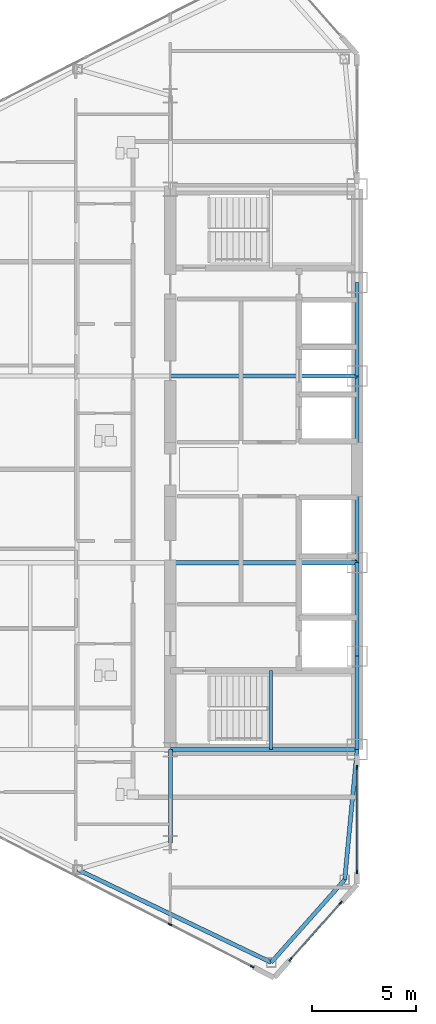
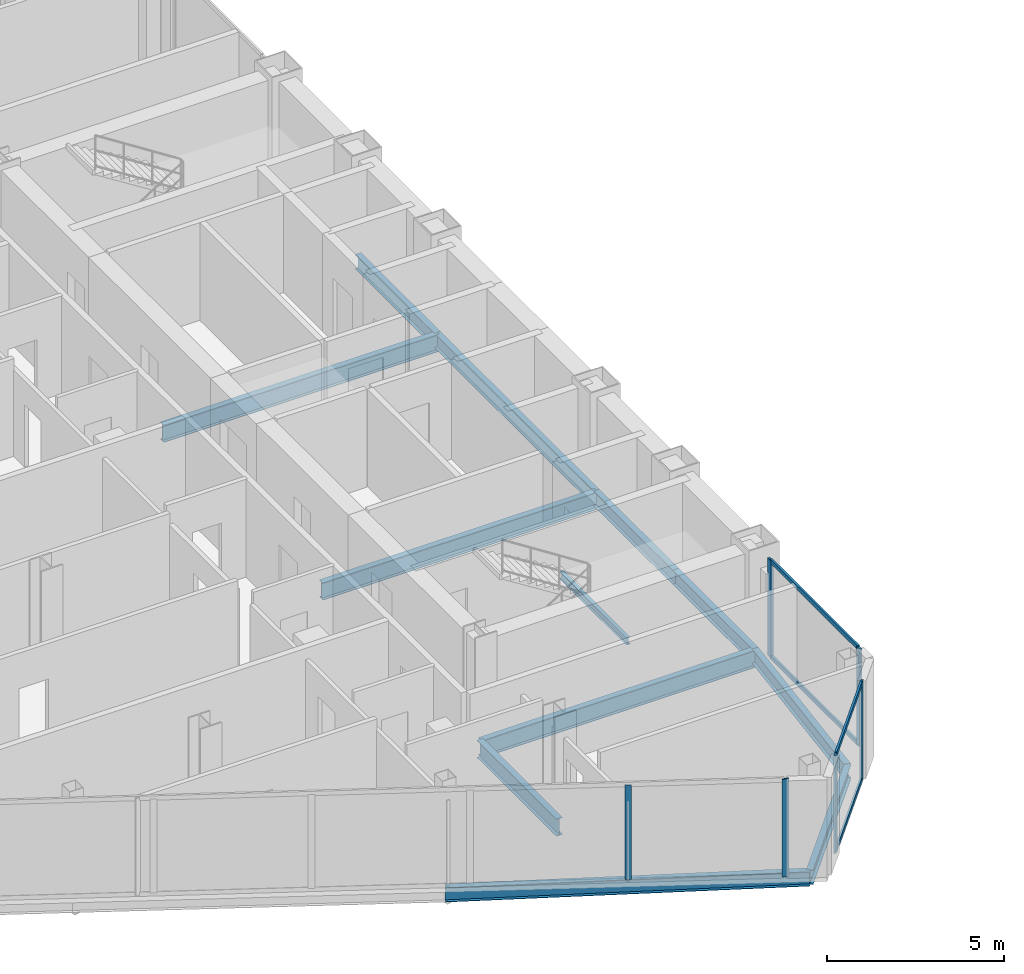
# One storey, part 5 of 24: 12 beams, 10 members, 3 elements without a shape of their own.
"""IFC4 building model written with IfcOpenShell, lengths in metres."""

from ifc_helpers import new_model, si_unit, direction, frame, origin, origin_2d, place, context, subcontext, project, spatial, rectangle, i_section, extrude, source, transform, mapped, material, layer, layer_set, material_profile, profile_set, type_object, type_shapes, element, aggregate, save


model = new_model("IFC4")

# Units and contexts
model_context = context("Model", 3, precision=1e-05, world=origin(), true_north=direction((0.0, 1.0)))
body_context = subcontext(model_context, "Body", "Model", "MODEL_VIEW")
ifc_project = project(units=[si_unit("LENGTHUNIT", "METRE"), si_unit("AREAUNIT", "SQUARE_METRE"), si_unit("VOLUMEUNIT", "CUBIC_METRE"), si_unit("PLANEANGLEUNIT", "RADIAN"), si_unit("MASSUNIT", "GRAM", prefix="KILO")], contexts=[model_context])

# Site, building, storey
site_placement = place(None, origin())
site = spatial("IfcSite", under=ifc_project, at=site_placement, CompositionType="ELEMENT")
building_placement = place(site_placement, origin())
building = spatial("IfcBuilding", under=site, at=building_placement, Name="Seokmaru Belvedere", CompositionType="ELEMENT")
storey_placement = place(building_placement, frame((0.0, 0.0, 140.39990234375)))
storey = spatial("IfcBuildingStorey", under=building, at=storey_placement, Name="L37", CompositionType="ELEMENT", Elevation=140.39990234375)

# Beams
ifc_material_1 = material(Name="Steel SM355 (355 MPa)", Category="steel")
ifc_material_profile_1 = material_profile(ifc_material_1, i_section(OverallWidth=0.199951171875, OverallDepth=0.5, WebThickness=0.010009765625, FlangeThickness=0.01611328125, at=origin_2d()), Name="H-500x200x10x16")
ifc_profile_set_1 = profile_set([ifc_material_profile_1], Name="Steel SM355 (355 MPa)")
beam_type_1 = type_object("IfcBeamType", Name="Perimeter Spandrel Beam H-500", PredefinedType="SPANDREL", material=ifc_profile_set_1)
shared_shape_1 = source(origin(), body_context, "Body", "SweptSolid", [
    extrude(i_section(OverallWidth=0.199951171875, OverallDepth=0.5, WebThickness=0.010009765625, FlangeThickness=0.01611328125, at=origin_2d()), origin(), (0.0, 0.0, 1.0), 4.5),
])
for number, where, z_axis, x_axis, name in (
    (1, (-27.5, -13.5, -0.469970703125), (0.0, 1.0, 0.0), (-1.0, 0.0, 0.0), "L37 W Portal Spine Spandrel 1"),
    (2, (-27.5, -9.0, -0.469970703125), (0.0, 1.0, 0.0), (-1.0, 0.0, 0.0), "L37 W Portal Spine Spandrel 2"),
    (3, (-27.5, 4.5, -0.469970703125), (0.0, 1.0, 0.0), (-1.0, 0.0, 0.0), "L37 W Portal Spine Spandrel 4"),
):
    element("IfcBeam", number, at=place(storey_placement, frame(where, z_axis=z_axis, x_axis=x_axis)), inside=storey, type_object=beam_type_1, Name=name, PredefinedType="SPANDREL", context=body_context, shape_type="MappedRepresentation", body=[
        mapped(shared_shape_1, transform((0.0, 0.0, 0.0), scale=1.0)),
    ])
shared_shape_2 = source(origin(), body_context, "Body", "SweptSolid", [
    extrude(i_section(OverallWidth=0.199951171875, OverallDepth=0.5, WebThickness=0.010009765625, FlangeThickness=0.01611328125, at=origin_2d()), origin(), (0.0, 0.0, 1.0), 9.0),
])
beam_1_placement = place(storey_placement, frame((-27.5, -4.5, -0.469970703125), z_axis=(0.0, 1.0, 0.0), x_axis=(-1.0, 0.0, 0.0)))
element("IfcBeam", 4, at=beam_1_placement, inside=storey, type_object=beam_type_1, Name="L37 W Portal Spine Spandrel 3", PredefinedType="SPANDREL", context=body_context, shape_type="MappedRepresentation", body=[
    mapped(shared_shape_2, transform((0.0, 0.0, 0.0), scale=1.0)),
])
ifc_material_profile_2 = material_profile(ifc_material_1, i_section(OverallWidth=0.199951171875, OverallDepth=0.60009765625, WebThickness=0.010986328125, FlangeThickness=0.01708984375, at=origin_2d()), Name="H-600x200x11x17")
ifc_profile_set_2 = profile_set([ifc_material_profile_2], Name="Steel SM355 (355 MPa)")
beam_type_2 = type_object("IfcBeamType", Name="Primary Floor Girder H-600", PredefinedType="BEAM", material=ifc_profile_set_2)
shared_shape_3 = source(origin(), body_context, "Body", "SweptSolid", [
    extrude(i_section(OverallWidth=0.199951171875, OverallDepth=0.60009765625, WebThickness=0.010986328125, FlangeThickness=0.01708984375, at=origin_2d()), origin(), (0.0, 0.0, 1.0), 9.0),
])
for number, where, z_axis, x_axis, name in (
    (5, (-36.5, -13.5, -0.52001953125), (1.0, 0.0, 0.0), (0.0, 1.0, 0.0), "L37 W Core Tie Girder 1"),
    (6, (-36.5, -4.5, -0.52001953125), (1.0, 0.0, 0.0), (0.0, 1.0, 0.0), "L37 W Core Tie Girder 2"),
    (7, (-36.5, 4.5, -0.52001953125), (1.0, 0.0, 0.0), (0.0, 1.0, 0.0), "L37 W Core Tie Girder 3"),
):
    element("IfcBeam", number, at=place(storey_placement, frame(where, z_axis=z_axis, x_axis=x_axis)), inside=storey, type_object=beam_type_2, Name=name, PredefinedType="BEAM", context=body_context, shape_type="MappedRepresentation", body=[
        mapped(shared_shape_3, transform((0.0, 0.0, 0.0), scale=1.0)),
    ])
shared_shape_4 = source(origin(), body_context, "Body", "SweptSolid", [
    extrude(i_section(OverallWidth=0.199951171875, OverallDepth=0.60009765625, WebThickness=0.010986328125, FlangeThickness=0.01708984375, at=origin_2d()), origin(), (0.0, 0.0, 1.0), 4.5),
])
type_shapes(beam_type_2, [shared_shape_3, shared_shape_4])
beam_2_placement = place(storey_placement, frame((-36.5, -18.0, -0.52001953125), z_axis=(0.0, 1.0, 0.0), x_axis=(-1.0, 0.0, 0.0)))
element("IfcBeam", 8, at=beam_2_placement, inside=storey, type_object=beam_type_2, Name="L37 W Core Shoulder Girder S", PredefinedType="BEAM", context=body_context, shape_type="MappedRepresentation", body=[
    mapped(shared_shape_4, transform((0.0, 0.0, 0.0), scale=1.0)),
])
shared_shape_5 = source(origin(), body_context, "Body", "SweptSolid", [
    extrude(i_section(OverallWidth=0.199951171875, OverallDepth=0.5, WebThickness=0.010009765625, FlangeThickness=0.01611328125, at=origin_2d()), origin(), (0.0, 0.0, 1.0), 10.353759765625),
])
beam_3_placement = place(storey_placement, frame((-31.6396484375, -23.75390625, -0.469970703125), z_axis=(-0.901713202822, 0.432334708134, 0.0), x_axis=(-0.432334708134, -0.901713202822, 0.0)))
element("IfcBeam", 9, at=beam_3_placement, inside=storey, type_object=beam_type_1, Name="L37 W Faceted Flank Spandrel S-1", PredefinedType="SPANDREL", context=body_context, shape_type="MappedRepresentation", body=[
    mapped(shared_shape_5, transform((0.0, 0.0, 0.0), scale=1.0)),
])
shared_shape_6 = source(origin(), body_context, "Body", "SweptSolid", [
    extrude(i_section(OverallWidth=0.199951171875, OverallDepth=0.5, WebThickness=0.010009765625, FlangeThickness=0.01611328125, at=origin_2d()), origin(), (0.0, 0.0, 1.0), 5.32763671875),
])
beam_4_placement = place(storey_placement, frame((-31.6396484375, -23.75390625, -0.469970703125), z_axis=(0.66436952742, 0.74740426212, 0.0), x_axis=(-0.74740426212, 0.66436952742, 0.0)))
element("IfcBeam", 10, at=beam_4_placement, inside=storey, type_object=beam_type_1, Name="L37 W Shoulder Chamfer Spandrel S", PredefinedType="SPANDREL", context=body_context, shape_type="MappedRepresentation", body=[
    mapped(shared_shape_6, transform((0.0, 0.0, 0.0), scale=1.0)),
])
shared_shape_7 = source(origin(), body_context, "Body", "SweptSolid", [
    extrude(i_section(OverallWidth=0.199951171875, OverallDepth=0.5, WebThickness=0.010009765625, FlangeThickness=0.01611328125, at=origin_2d()), origin(), (0.0, 0.0, 1.0), 6.300537109375),
])
type_shapes(beam_type_1, [shared_shape_1, shared_shape_2, shared_shape_5, shared_shape_6, shared_shape_7])
beam_5_placement = place(storey_placement, frame((-28.10009765625, -19.77197265625, -0.469970703125), z_axis=(0.095244287992, 0.995453929424, 0.0), x_axis=(-0.995453929424, 0.095244287992, 0.0)))
element("IfcBeam", 11, at=beam_5_placement, inside=storey, type_object=beam_type_1, Name="L37 W Shoulder Spine Spandrel S", PredefinedType="SPANDREL", context=body_context, shape_type="MappedRepresentation", body=[
    mapped(shared_shape_7, transform((0.0, 0.0, 0.0), scale=1.0)),
])

# Curtain wall, members
ifc_material_2 = material(Name="Bronze Triple Insulating Glass", Category="glass")
ifc_layer = layer(ifc_material_2, 0.195068359375)
ifc_layer_set = layer_set([ifc_layer], Name="Bronze Triple Insulating Glass")
curtain_wall_type = type_object("IfcCurtainWallType", Name="Sky-Lobby and Mid-Rise Curtain Wall System CW-4", PredefinedType="NOTDEFINED", material=ifc_layer_set)
curtain_wall_1_placement = place(storey_placement, origin())
curtain_wall_1 = element("IfcCurtainWall", 12, at=curtain_wall_1_placement, inside=storey, type_object=curtain_wall_type, Name="L37 Curtain Wall WSP_1", PredefinedType="NOTDEFINED")
ifc_material_3 = material(Name="Anodised Bronze Aluminium", Category="aluminium")
ifc_material_profile_3 = material_profile(ifc_material_3, rectangle(XDim=0.070068359375, YDim=0.195068359375, at=origin_2d()), Name="CW-M-70x195")
ifc_profile_set_3 = profile_set([ifc_material_profile_3], Name="Anodised Bronze Aluminium")
member_type_1 = type_object("IfcMemberType", Name="Bronze Unitised Mullion 70x195", PredefinedType="MULLION", material=ifc_profile_set_3)
shared_shape_8 = source(origin(), body_context, "Body", "SweptSolid", [
    extrude(rectangle(XDim=0.070068359375, YDim=0.195068359375, at=origin_2d()), origin(), (0.0, 0.0, 1.0), 3.380126953125),
])
member_1_placement = place(storey_placement, frame((-27.5, -19.39501953125, 0.0), z_axis=(0.0, 0.0, 1.0), x_axis=(-1.0, 0.0, 0.0)))
member_1 = element("IfcMember", 13, at=member_1_placement, type_object=member_type_1, Name="CW:L37:WSP_1 Mullion 1", PredefinedType="MULLION", context=body_context, shape_type="MappedRepresentation", body=[
    mapped(shared_shape_8, transform((0.0, 0.0, 0.0), scale=1.0)),
])
member_2_placement = place(storey_placement, frame((-27.5, -14.364990234375, 0.0), z_axis=(0.0, 0.0, 1.0), x_axis=(-1.0, 0.0, 0.0)))
member_2 = element("IfcMember", 14, at=member_2_placement, type_object=member_type_1, Name="CW:L37:WSP_1 Mullion 2", PredefinedType="MULLION", context=body_context, shape_type="MappedRepresentation", body=[
    mapped(shared_shape_8, transform((0.0, 0.0, 0.0), scale=1.0)),
])

# Curtain wall, member
curtain_wall_2_placement = place(storey_placement, origin())
curtain_wall_2 = element("IfcCurtainWall", 15, at=curtain_wall_2_placement, inside=storey, type_object=curtain_wall_type, Name="L37 Curtain Wall WF5", PredefinedType="NOTDEFINED")
member_3_placement = place(storey_placement, frame((-32.55419921875, -23.958984375, 0.0), z_axis=(0.0, 0.0, 1.0), x_axis=(0.456554528263, 0.889695432562, 0.0)))
member_3 = element("IfcMember", 16, at=member_3_placement, type_object=member_type_1, Name="CW:L37:WF5 Mullion 10", PredefinedType="MULLION", context=body_context, shape_type="MappedRepresentation", body=[
    mapped(shared_shape_8, transform((0.0, 0.0, 0.0), scale=1.0)),
])

# Curtain wall, members
curtain_wall_3_placement = place(storey_placement, origin())
curtain_wall_3 = element("IfcCurtainWall", 17, at=curtain_wall_3_placement, inside=storey, type_object=curtain_wall_type, Name="L37 Curtain Wall WF6", PredefinedType="NOTDEFINED")
member_4_placement = place(storey_placement, frame((-30.712646484375, -23.6142578125, 0.0), z_axis=(0.0, 0.0, 1.0), x_axis=(-0.747409774804, 0.664363325694, 0.0)))
member_4 = element("IfcMember", 18, at=member_4_placement, type_object=member_type_1, Name="CW:L37:WF6 Mullion 1", PredefinedType="MULLION", context=body_context, shape_type="MappedRepresentation", body=[
    mapped(shared_shape_8, transform((0.0, 0.0, 0.0), scale=1.0)),
])
member_5_placement = place(storey_placement, frame((-28.287353515625, -20.8857421875, 0.0), z_axis=(0.0, 0.0, 1.0), x_axis=(-0.747409774804, 0.664363325694, 0.0)))
member_5 = element("IfcMember", 19, at=member_5_placement, type_object=member_type_1, Name="CW:L37:WF6 Mullion 2", PredefinedType="MULLION", context=body_context, shape_type="MappedRepresentation", body=[
    mapped(shared_shape_8, transform((0.0, 0.0, 0.0), scale=1.0)),
])
ifc_material_profile_4 = material_profile(ifc_material_3, rectangle(XDim=0.06494140625, YDim=0.14990234375, at=origin_2d()), Name="CW-T-65x150")
ifc_profile_set_4 = profile_set([ifc_material_profile_4], Name="Anodised Bronze Aluminium")
member_type_2 = type_object("IfcMemberType", Name="Bronze Unitised Transom 65x150", PredefinedType="USERDEFINED", material=ifc_profile_set_4)
shared_shape_9 = source(origin(), body_context, "Body", "SweptSolid", [
    extrude(rectangle(XDim=0.06494140625, YDim=0.14990234375, at=origin_2d()), origin(), (0.0, 0.0, 1.0), 3.580810546875),
])
member_6_placement = place(storey_placement, frame((-30.689453125, -23.588134765625, 0.03271484375), z_axis=(0.66436383883, 0.747409318684, 0.0), x_axis=(-0.747409318684, 0.66436383883, 0.0)))
member_6 = element("IfcMember", 20, at=member_6_placement, type_object=member_type_2, Name="CW:L37:WF6 Continuous Transom 1", ObjectType="TRANSOM", PredefinedType="USERDEFINED", context=body_context, shape_type="MappedRepresentation", body=[
    mapped(shared_shape_9, transform((0.0, 0.0, 0.0), scale=1.0)),
])
member_7_placement = place(storey_placement, frame((-30.689453125, -23.588134765625, 3.34765625), z_axis=(0.66436383883, 0.747409318684, 0.0), x_axis=(-0.747409318684, 0.66436383883, 0.0)))
member_7 = element("IfcMember", 21, at=member_7_placement, type_object=member_type_2, Name="CW:L37:WF6 Continuous Transom 2", ObjectType="TRANSOM", PredefinedType="USERDEFINED", context=body_context, shape_type="MappedRepresentation", body=[
    mapped(shared_shape_9, transform((0.0, 0.0, 0.0), scale=1.0)),
])
aggregate(curtain_wall_3, [member_4, member_5, member_6, member_7])

# Member
shared_shape_10 = source(origin(), body_context, "Body", "SweptSolid", [
    extrude(rectangle(XDim=0.070068359375, YDim=0.195068359375, at=origin_2d()), origin(), (0.0, 0.0, 1.0), 3.25),
])
type_shapes(member_type_1, [shared_shape_8, shared_shape_10])
member_8_placement = place(storey_placement, frame((-36.51806640625, -21.925048828125, 0.065185546875), z_axis=(0.0, 0.0, 1.0), x_axis=(0.456554528263, 0.889695432562, 0.0)))
member_8 = element("IfcMember", 22, at=member_8_placement, type_object=member_type_1, Name="CW:L37:WF5 Mullion 9", PredefinedType="MULLION", context=body_context, shape_type="MappedRepresentation", body=[
    mapped(shared_shape_10, transform((0.0, 0.0, 0.0), scale=1.0)),
])

aggregate(curtain_wall_2, [member_8, member_3])

shared_shape_11 = source(origin(), body_context, "Body", "SweptSolid", [
    extrude(rectangle(XDim=0.06494140625, YDim=0.14990234375, at=origin_2d()), origin(), (0.0, 0.0, 1.0), 4.960205078125),
])
type_shapes(member_type_2, [shared_shape_9, shared_shape_11])
member_9_placement = place(storey_placement, frame((-27.5, -19.360107421875, 0.03271484375), z_axis=(0.0, 1.0, 0.0), x_axis=(-1.0, 0.0, 0.0)))
member_9 = element("IfcMember", 23, at=member_9_placement, type_object=member_type_2, Name="CW:L37:WSP_1 Continuous Transom 1", ObjectType="TRANSOM", PredefinedType="USERDEFINED", context=body_context, shape_type="MappedRepresentation", body=[
    mapped(shared_shape_11, transform((0.0, 0.0, 0.0), scale=1.0)),
])

member_10_placement = place(storey_placement, frame((-27.5, -19.360107421875, 3.34765625), z_axis=(0.0, 1.0, 0.0), x_axis=(-1.0, 0.0, 0.0)))
member_10 = element("IfcMember", 24, at=member_10_placement, type_object=member_type_2, Name="CW:L37:WSP_1 Continuous Transom 2", ObjectType="TRANSOM", PredefinedType="USERDEFINED", context=body_context, shape_type="MappedRepresentation", body=[
    mapped(shared_shape_11, transform((0.0, 0.0, 0.0), scale=1.0)),
])

aggregate(curtain_wall_1, [member_1, member_2, member_9, member_10])

# Beam
ifc_material_profile_5 = material_profile(ifc_material_1, i_section(OverallWidth=0.125, OverallDepth=0.25, WebThickness=0.006103515625, FlangeThickness=0.009033203125, at=origin_2d()), Name="H-250x125x6x9")
ifc_profile_set_5 = profile_set([ifc_material_profile_5], Name="Steel SM355 (355 MPa)")
beam_type_3 = type_object("IfcBeamType", Name="Stair Mid-Landing Support Beam H-250", PredefinedType="JOIST", material=ifc_profile_set_5)
shared_shape_12 = source(origin(), body_context, "Body", "SweptSolid", [
    extrude(i_section(OverallWidth=0.125, OverallDepth=0.25, WebThickness=0.006103515625, FlangeThickness=0.009033203125, at=origin_2d()), origin(), (0.0, 0.0, 1.0), 3.800048828125),
])
type_shapes(beam_type_3, [shared_shape_12])
beam_6_placement = place(storey_placement, frame((-31.64990234375, -13.5, 1.47509765625), z_axis=(0.0, 1.0, 0.0), x_axis=(-1.0, 0.0, 0.0)))
element("IfcBeam", 25, at=beam_6_placement, inside=storey, type_object=beam_type_3, Name="L37 Stair ST-W1 Mid-Landing Support Beam 1", PredefinedType="JOIST", context=body_context, shape_type="MappedRepresentation", body=[
    mapped(shared_shape_12, transform((0.0, 0.0, 0.0), scale=1.0)),
])

save(model, "model.ifc")
